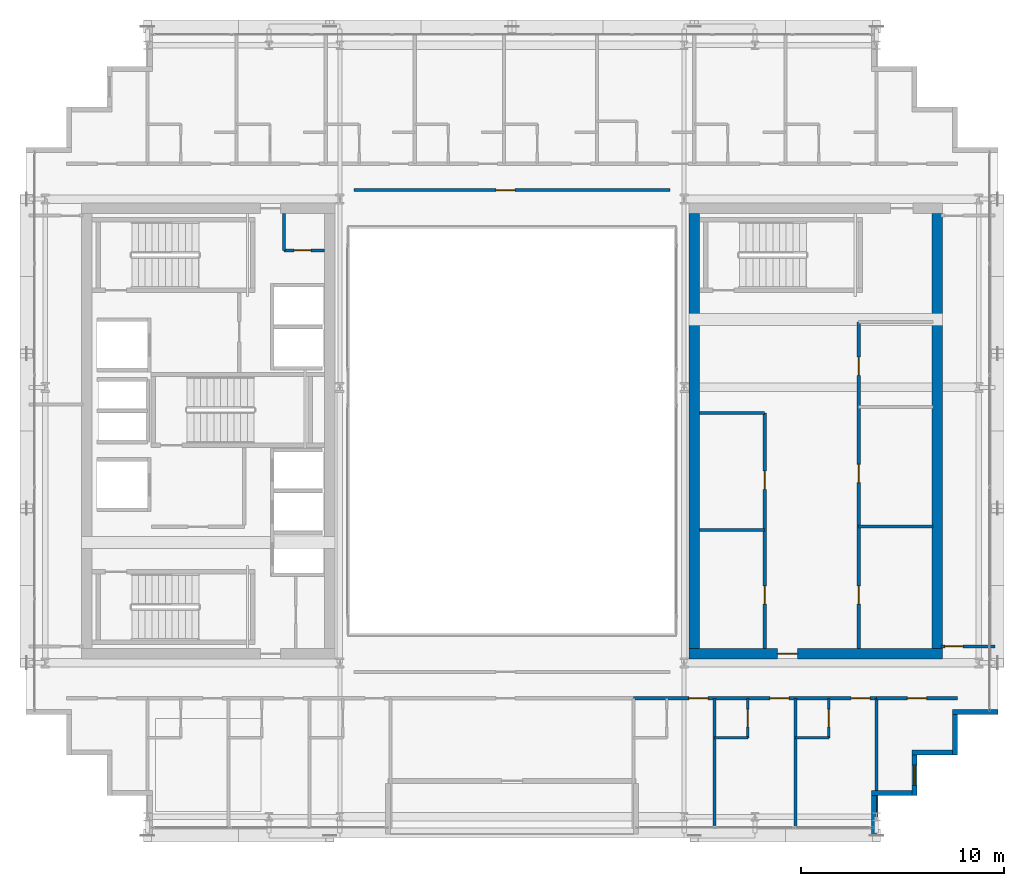
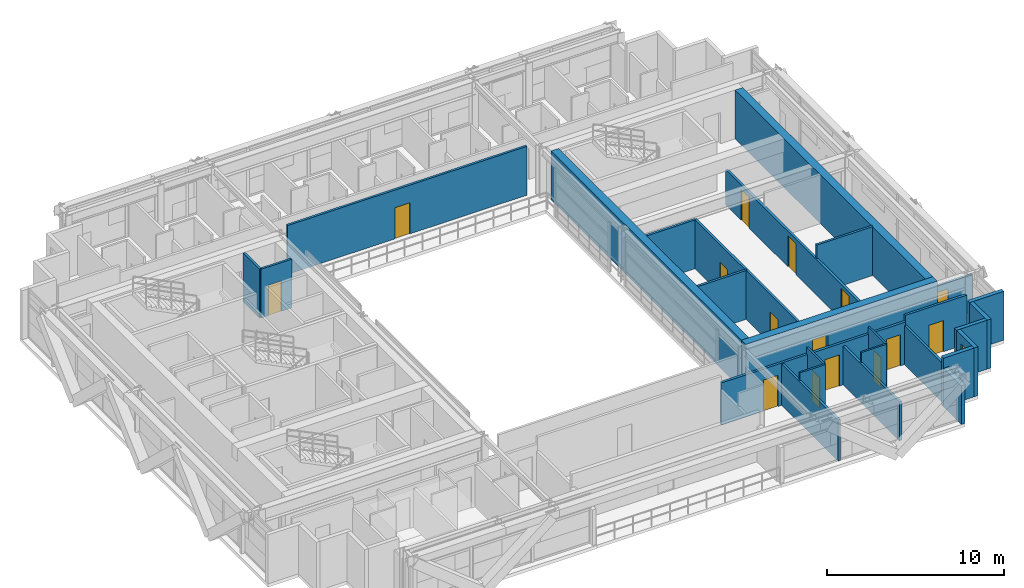
# One storey, part 31 of 38: 27 walls, 15 doors, 1 window, 16 openings.
"""IFC4 building model written with IfcOpenShell, lengths in metres."""

from ifc_helpers import new_model, si_unit, direction, frame, frame_2d, origin, place, context, subcontext, project, spatial, rectangle, extrude, source, transform, mapped, material, layer, layer_set, type_object, element, fill, save


model = new_model("IFC4")

# Units and contexts
model_context = context("Model", 3, precision=1e-05, world=origin(), true_north=direction((0.0, 1.0)))
body_context = subcontext(model_context, "Body", "Model", "MODEL_VIEW")
ifc_project = project(units=[si_unit("LENGTHUNIT", "METRE"), si_unit("AREAUNIT", "SQUARE_METRE"), si_unit("VOLUMEUNIT", "CUBIC_METRE"), si_unit("PLANEANGLEUNIT", "RADIAN"), si_unit("MASSUNIT", "GRAM", prefix="KILO")], contexts=[model_context])

# Site, building, storey
site_placement = place(None, origin())
site = spatial("IfcSite", under=ifc_project, at=site_placement, CompositionType="ELEMENT")
building_placement = place(site_placement, origin())
building = spatial("IfcBuilding", under=site, at=building_placement, Name="Ocotamira Hotel", CompositionType="ELEMENT")
storey_placement = place(building_placement, frame((0.0, 0.0, 170.39990234375)))
storey = spatial("IfcBuildingStorey", under=building, at=storey_placement, Name="L42", CompositionType="ELEMENT", Elevation=170.39990234375)

# Wall, opening, door
ifc_material_1 = material(Name="Concrete C50/60", Category="concrete")
ifc_layer_1 = layer(ifc_material_1, 0.5)
ifc_layer_set_1 = layer_set([ifc_layer_1], Name="Concrete C50/60")
wall_type_1 = type_object("IfcWallType", Name="WL-CORE-500", PredefinedType="SHEAR", material=ifc_layer_set_1)
wall_1_placement = place(storey_placement, frame((40.75, 15.0, 0.0), z_axis=(0.0, 0.0, 1.0), x_axis=(1.0, 0.0, 0.0)))
wall_1 = element("IfcWall", 1, at=wall_1_placement, inside=storey, type_object=wall_type_1, Name="L42 Shear Core Wall ECORE-S", PredefinedType="SHEAR", context=body_context, shape_type="SweptSolid", body=[
    extrude(rectangle(XDim=12.5, YDim=0.5, at=frame_2d((6.25, 0.0))), origin(), (0.0, 0.0, 1.0), 3.3701171875),
])
opening_1_placement = place(wall_1_placement, frame((4.35009765625, 0.0, 0.0)))
opening_1 = element("IfcOpeningElement", 2, at=opening_1_placement, cuts=wall_1, Name="Opening D-FR2", PredefinedType="OPENING", context=body_context, shape_type="SweptSolid", body=[
    extrude(rectangle(XDim=1.0, YDim=2.14990234375, at=frame_2d((0.5, 1.074951171875))), frame((0.0, 0.260009765625, 0.0), z_axis=(0.0, -1.0, 0.0), x_axis=(1.0, 0.0, 0.0)), (0.0, 0.0, 1.0), 0.52001953125),
])
ifc_material_2 = material(Name="Fire-rated acoustic timber-veneer door", Category="wood")
door_type_1 = type_object("IfcDoorType", Name="DR-FIRE-1000", OperationType="NOTDEFINED", PredefinedType="DOOR", material=ifc_material_2)
shared_shape_1 = source(origin(), body_context, "Body", "SweptSolid", [
    extrude(rectangle(XDim=1.0, YDim=2.14990234375, at=frame_2d((0.5, 1.074951171875))), frame((0.0, 0.02490234375, 0.0), z_axis=(0.0, -1.0, 0.0), x_axis=(1.0, 0.0, 0.0)), (0.0, 0.0, 1.0), 0.050048828125),
])
door_1_placement = place(opening_1_placement, origin())
door_1 = element("IfcDoor", 3, at=door_1_placement, inside=storey, type_object=door_type_1, Name="L42 Door ID-L42-ELOB-S-D [ID-L42-ELOB-S-D]", OperationType="SINGLE_SWING_RIGHT", OverallHeight=2.14990234375, OverallWidth=1.0, PredefinedType="DOOR", context=body_context, shape_type="MappedRepresentation", body=[
    mapped(shared_shape_1, transform((0.0, 0.0, 0.0), scale=1.0)),
])
fill(opening_1, door_1)

# Walls
for number, where, z_axis, x_axis, name in (
    (4, (41.0, 15.25, 0.0), (0.0, 0.0, 1.0), (0.0, 1.0, 0.0), "L42 Shear Core Wall ECORE-W"),
    (5, (53.0, 15.25, 0.0), (0.0, 0.0, 1.0), (0.0, 1.0, 0.0), "L42 Shear Core Wall ECORE-E"),
):
    element("IfcWall", number, at=place(storey_placement, frame(where, z_axis=z_axis, x_axis=x_axis)), inside=storey, type_object=wall_type_1, Name=name, PredefinedType="SHEAR", context=body_context, shape_type="SweptSolid", body=[
        extrude(rectangle(XDim=21.5, YDim=0.5, at=frame_2d((10.75, 0.0))), origin(), (0.0, 0.0, 1.0), 3.3701171875),
    ])
ifc_material_3 = material(Name="Precast concrete C45/55", Category="concrete")
ifc_layer_2 = layer(ifc_material_3, 0.25)
ifc_layer_set_2 = layer_set([ifc_layer_2], Name="Precast concrete C45/55")
wall_type_2 = type_object("IfcWallType", Name="WL-EXT-SER-250", PredefinedType="SOLIDWALL", material=ifc_layer_set_2)
wall_2_placement = place(storey_placement, frame((49.875, 6.0, 0.0), z_axis=(0.0, 0.0, 1.0), x_axis=(0.0, 1.0, 0.0)))
element("IfcWall", 6, at=wall_2_placement, inside=storey, type_object=wall_type_2, Name="L42 Serrated Corner Wall 01", PredefinedType="SOLIDWALL", context=body_context, shape_type="SweptSolid", body=[
    extrude(rectangle(XDim=2.0, YDim=0.25, at=frame_2d((1.0, 0.0))), origin(), (0.0, 0.0, 1.0), 2.677001953125),
])
wall_3_placement = place(storey_placement, frame((49.75, 8.125, 0.0), z_axis=(0.0, 0.0, 1.0), x_axis=(1.0, 0.0, 0.0)))
element("IfcWall", 7, at=wall_3_placement, inside=storey, type_object=wall_type_2, Name="L42 Serrated Corner Wall 02", PredefinedType="SOLIDWALL", context=body_context, shape_type="SweptSolid", body=[
    extrude(rectangle(XDim=2.0, YDim=0.25, at=frame_2d((1.0, 0.0))), origin(), (0.0, 0.0, 1.0), 3.3701171875),
])

# Wall, opening, window
wall_4_placement = place(storey_placement, frame((51.875, 8.0, 0.0), z_axis=(0.0, 0.0, 1.0), x_axis=(0.0, 1.0, 0.0)))
wall_4 = element("IfcWall", 8, at=wall_4_placement, inside=storey, type_object=wall_type_2, Name="L42 Serrated Corner Wall 03", PredefinedType="SOLIDWALL", context=body_context, shape_type="SweptSolid", body=[
    extrude(rectangle(XDim=2.0, YDim=0.25, at=frame_2d((1.0, 0.0))), origin(), (0.0, 0.0, 1.0), 3.3701171875),
])
opening_2_placement = place(wall_4_placement, frame((0.5, 0.0, 0.85009765625)))
opening_2 = element("IfcOpeningElement", 9, at=opening_2_placement, cuts=wall_4, Name="Opening WN-2", PredefinedType="OPENING", context=body_context, shape_type="SweptSolid", body=[
    extrude(rectangle(XDim=1.0, YDim=1.89990234375, at=frame_2d((0.5, 0.949951171875))), frame((0.0, 0.135009765625, 0.0), z_axis=(0.0, -1.0, 0.0), x_axis=(1.0, 0.0, 0.0)), (0.0, 0.0, 1.0), 0.27001953125),
])
ifc_material_4 = material(Name="Double-silver low-E solar glass", Category="glass")
window_type = type_object("IfcWindowType", Name="WIN-SER-1100", PartitioningType="SINGLE_PANEL", PredefinedType="WINDOW", material=ifc_material_4)
shared_shape_2 = source(origin(), body_context, "Body", "SweptSolid", [
    extrude(rectangle(XDim=1.0, YDim=1.89990234375, at=frame_2d((0.5, 0.949951171875))), frame((0.0, 0.030029296875, 0.0), z_axis=(0.0, -1.0, 0.0), x_axis=(1.0, 0.0, 0.0)), (0.0, 0.0, 1.0), 0.06005859375),
])
window_placement = place(opening_2_placement, origin())
window = element("IfcWindow", 10, at=window_placement, inside=storey, type_object=window_type, Name="L42 Serrated Corner Window 03", OverallHeight=1.89990234375, OverallWidth=1.0, PartitioningType="SINGLE_PANEL", PredefinedType="WINDOW", context=body_context, shape_type="MappedRepresentation", body=[
    mapped(shared_shape_2, transform((0.0, 0.0, 0.0), scale=1.0)),
])
fill(opening_2, window)

# Walls
for number, where, z_axis, x_axis, name in (
    (11, (51.75, 10.125, 0.0), (0.0, 0.0, 1.0), (1.0, 0.0, 0.0), "L42 Serrated Corner Wall 04"),
    (12, (53.875, 10.0, 0.0), (0.0, 0.0, 1.0), (0.0, 1.0, 0.0), "L42 Serrated Corner Wall 05"),
):
    element("IfcWall", number, at=place(storey_placement, frame(where, z_axis=z_axis, x_axis=x_axis)), inside=storey, type_object=wall_type_2, Name=name, PredefinedType="SOLIDWALL", context=body_context, shape_type="SweptSolid", body=[
        extrude(rectangle(XDim=2.0, YDim=0.25, at=frame_2d((1.0, 0.0))), origin(), (0.0, 0.0, 1.0), 3.3701171875),
    ])
wall_5_placement = place(storey_placement, frame((53.75, 12.125, 0.0), z_axis=(0.0, 0.0, 1.0), x_axis=(1.0, 0.0, 0.0)))
element("IfcWall", 13, at=wall_5_placement, inside=storey, type_object=wall_type_2, Name="L42 Serrated Corner Wall 06", PredefinedType="SOLIDWALL", context=body_context, shape_type="SweptSolid", body=[
    extrude(rectangle(XDim=2.25, YDim=0.25, at=frame_2d((1.125, 0.0))), origin(), (0.0, 0.0, 1.0), 3.3701171875),
])

# Wall, openings, doors
ifc_material_5 = material(Name="Acoustic double-layer fire gypsum board partition", Category="gypsum")
ifc_layer_3 = layer(ifc_material_5, 0.159912109375)
ifc_layer_set_3 = layer_set([ifc_layer_3], Name="Acoustic double-layer fire gypsum board partition")
wall_type_3 = type_object("IfcWallType", Name="WL-FIRE-160", PredefinedType="PARTITIONING", material=ifc_layer_set_3)
wall_6_placement = place(storey_placement, frame((49.1201171875, 15.25, 0.0), z_axis=(0.0, 0.0, 1.0), x_axis=(0.0, 1.0, 0.0)))
wall_6 = element("IfcWall", 14, at=wall_6_placement, inside=storey, type_object=wall_type_3, Name="L42 Interior Wall PW-L42-EC-FLOW-W", PredefinedType="PARTITIONING", context=body_context, shape_type="SweptSolid", body=[
    extrude(rectangle(XDim=16.1298828125, YDim=0.159912109375, at=frame_2d((8.06494140625, 0.0))), origin(), (0.0, 0.0, 1.0), 2.443115234375),
])
opening_3_placement = place(wall_6_placement, frame((2.199951171875, 0.0, 0.0)))
opening_3 = element("IfcOpeningElement", 15, at=opening_3_placement, cuts=wall_6, Name="Opening D-IN3", PredefinedType="OPENING", context=body_context, shape_type="SweptSolid", body=[
    extrude(rectangle(XDim=0.89990234375, YDim=2.14990234375, at=frame_2d((0.449951171875, 1.074951171875))), frame((0.0, 0.08984375, 0.0), z_axis=(0.0, -1.0, 0.0), x_axis=(1.0, 0.0, 0.0)), (0.0, 0.0, 1.0), 0.179931640625),
])
opening_4_placement = place(wall_6_placement, frame((8.199951171875, 0.0, 0.0)))
opening_4 = element("IfcOpeningElement", 16, at=opening_4_placement, cuts=wall_6, Name="Opening D-IN3", PredefinedType="OPENING", context=body_context, shape_type="SweptSolid", body=[
    extrude(rectangle(XDim=0.89990234375, YDim=2.14990234375, at=frame_2d((0.449951171875, 1.074951171875))), frame((0.0, 0.08984375, 0.0), z_axis=(0.0, -1.0, 0.0), x_axis=(1.0, 0.0, 0.0)), (0.0, 0.0, 1.0), 0.179931640625),
])
opening_5_placement = place(wall_6_placement, frame((13.5, 0.0, 0.0)))
opening_5 = element("IfcOpeningElement", 17, at=opening_5_placement, cuts=wall_6, Name="Opening D-IN3", PredefinedType="OPENING", context=body_context, shape_type="SweptSolid", body=[
    extrude(rectangle(XDim=0.89990234375, YDim=2.14990234375, at=frame_2d((0.449951171875, 1.074951171875))), frame((0.0, 0.08984375, 0.0), z_axis=(0.0, -1.0, 0.0), x_axis=(1.0, 0.0, 0.0)), (0.0, 0.0, 1.0), 0.179931640625),
])
ifc_material_6 = material(Name="Painted service room door", Category="steel")
door_type_2 = type_object("IfcDoorType", Name="DR-INT-900", OperationType="NOTDEFINED", PredefinedType="DOOR", material=ifc_material_6)
shared_shape_3 = source(origin(), body_context, "Body", "SweptSolid", [
    extrude(rectangle(XDim=0.89990234375, YDim=2.14990234375, at=frame_2d((0.449951171875, 1.074951171875))), frame((0.0, 0.02490234375, 0.0), z_axis=(0.0, -1.0, 0.0), x_axis=(1.0, 0.0, 0.0)), (0.0, 0.0, 1.0), 0.050048828125),
])
door_2_placement = place(opening_3_placement, origin())
door_2 = element("IfcDoor", 18, at=door_2_placement, inside=storey, type_object=door_type_2, Name="L42 Door ID-L42-EC-FLOW-D1 [ID-L42-EC-FLOW-D1]", OperationType="SINGLE_SWING_LEFT", OverallHeight=2.14990234375, OverallWidth=0.89990234375, PredefinedType="DOOR", context=body_context, shape_type="MappedRepresentation", body=[
    mapped(shared_shape_3, transform((0.0, 0.0, 0.0), scale=1.0)),
])
fill(opening_3, door_2)
door_3_placement = place(opening_4_placement, origin())
door_3 = element("IfcDoor", 19, at=door_3_placement, inside=storey, type_object=door_type_2, Name="L42 Door ID-L42-EC-FLOW-D2 [ID-L42-EC-FLOW-D2]", OperationType="SINGLE_SWING_RIGHT", OverallHeight=2.14990234375, OverallWidth=0.89990234375, PredefinedType="DOOR", context=body_context, shape_type="MappedRepresentation", body=[
    mapped(shared_shape_3, transform((0.0, 0.0, 0.0), scale=1.0)),
])
fill(opening_4, door_3)
door_4_placement = place(opening_5_placement, origin())
door_4 = element("IfcDoor", 20, at=door_4_placement, inside=storey, type_object=door_type_2, Name="L42 Door ID-L42-EC-FLOW-D3 [ID-L42-EC-FLOW-D3]", OperationType="SINGLE_SWING_LEFT", OverallHeight=2.14990234375, OverallWidth=0.89990234375, PredefinedType="DOOR", context=body_context, shape_type="MappedRepresentation", body=[
    mapped(shared_shape_3, transform((0.0, 0.0, 0.0), scale=1.0)),
])
fill(opening_5, door_4)

# Wall, opening, door
wall_7_placement = place(storey_placement, frame((50.0, 12.800048828125, 0.0), z_axis=(0.0, 0.0, 1.0), x_axis=(1.0, 0.0, 0.0)))
wall_7 = element("IfcWall", 21, at=wall_7_placement, inside=storey, type_object=wall_type_3, Name="L42 Interior Wall PW-L42-Z3A-CSE-CW", PredefinedType="PARTITIONING", context=body_context, shape_type="SweptSolid", body=[
    extrude(rectangle(XDim=4.0, YDim=0.159912109375, at=frame_2d((2.0, 0.0))), origin(), (0.0, 0.0, 1.0), 3.3701171875),
])
opening_6_placement = place(wall_7_placement, frame((1.52001953125, 0.0, 0.0)))
opening_6 = element("IfcOpeningElement", 22, at=opening_6_placement, cuts=wall_7, Name="Opening D-SV4", PredefinedType="OPENING", context=body_context, shape_type="SweptSolid", body=[
    extrude(rectangle(XDim=0.9599609375, YDim=2.14990234375, at=frame_2d((0.47998046875, 1.074951171875))), frame((0.0, 0.08984375, 0.0), z_axis=(0.0, -1.0, 0.0), x_axis=(1.0, 0.0, 0.0)), (0.0, 0.0, 1.0), 0.179931640625),
])
ifc_material_7 = material(Name="Fire-rated accessible walnut salon door", Category="wood")
door_type_3 = type_object("IfcDoorType", Name="DR-SERV-960", OperationType="NOTDEFINED", PredefinedType="DOOR", material=ifc_material_7)
shared_shape_4 = source(origin(), body_context, "Body", "SweptSolid", [
    extrude(rectangle(XDim=0.9599609375, YDim=2.14990234375, at=frame_2d((0.47998046875, 1.074951171875))), frame((0.0, 0.02490234375, 0.0), z_axis=(0.0, -1.0, 0.0), x_axis=(1.0, 0.0, 0.0)), (0.0, 0.0, 1.0), 0.050048828125),
])
door_5_placement = place(opening_6_placement, origin())
door_5 = element("IfcDoor", 23, at=door_5_placement, inside=storey, type_object=door_type_3, Name="L42 Door ID-L42-Z3A-CSE-CD [ID-L42-Z3A-CSE-CD]", OperationType="SINGLE_SWING_LEFT", OverallHeight=2.14990234375, OverallWidth=0.9599609375, PredefinedType="DOOR", context=body_context, shape_type="MappedRepresentation", body=[
    mapped(shared_shape_4, transform((0.0, 0.0, 0.0), scale=1.0)),
])
fill(opening_6, door_5)

# Wall, openings, doors
wall_8_placement = place(storey_placement, frame((38.0, 12.800048828125, 0.0), z_axis=(0.0, 0.0, 1.0), x_axis=(1.0, 0.0, 0.0)))
wall_8 = element("IfcWall", 24, at=wall_8_placement, inside=storey, type_object=wall_type_3, Name="L42 Interior Wall PW-L42-Z3ASE-CORRW", PredefinedType="PARTITIONING", context=body_context, shape_type="SweptSolid", body=[
    extrude(rectangle(XDim=12.0, YDim=0.159912109375, at=frame_2d((6.0, 0.0))), origin(), (0.0, 0.0, 1.0), 2.9130859375),
])
opening_7_placement = place(wall_8_placement, frame((2.739990234375, 0.0, 0.0)))
opening_7 = element("IfcOpeningElement", 25, at=opening_7_placement, cuts=wall_8, Name="Opening D-GR1", PredefinedType="OPENING", context=body_context, shape_type="SweptSolid", body=[
    extrude(rectangle(XDim=0.93994140625, YDim=2.14990234375, at=frame_2d((0.469970703125, 1.074951171875))), frame((0.0, 0.08984375, 0.0), z_axis=(0.0, -1.0, 0.0), x_axis=(1.0, 0.0, 0.0)), (0.0, 0.0, 1.0), 0.179931640625),
])
opening_8_placement = place(wall_8_placement, frame((6.739990234375, 0.0, 0.0)))
opening_8 = element("IfcOpeningElement", 26, at=opening_8_placement, cuts=wall_8, Name="Opening D-GR1", PredefinedType="OPENING", context=body_context, shape_type="SweptSolid", body=[
    extrude(rectangle(XDim=0.93994140625, YDim=2.14990234375, at=frame_2d((0.469970703125, 1.074951171875))), frame((0.0, 0.08984375, 0.0), z_axis=(0.0, -1.0, 0.0), x_axis=(1.0, 0.0, 0.0)), (0.0, 0.0, 1.0), 0.179931640625),
])
opening_9_placement = place(wall_8_placement, frame((10.739990234375, 0.0, 0.0)))
opening_9 = element("IfcOpeningElement", 27, at=opening_9_placement, cuts=wall_8, Name="Opening D-GR1", PredefinedType="OPENING", context=body_context, shape_type="SweptSolid", body=[
    extrude(rectangle(XDim=0.93994140625, YDim=2.14990234375, at=frame_2d((0.469970703125, 1.074951171875))), frame((0.0, 0.08984375, 0.0), z_axis=(0.0, -1.0, 0.0), x_axis=(1.0, 0.0, 0.0)), (0.0, 0.0, 1.0), 0.179931640625),
])
ifc_material_8 = material(Name="Solid-core walnut suite entrance fire door", Category="wood")
door_type_4 = type_object("IfcDoorType", Name="DR-GUEST-940", OperationType="NOTDEFINED", PredefinedType="DOOR", material=ifc_material_8)
shared_shape_5 = source(origin(), body_context, "Body", "SweptSolid", [
    extrude(rectangle(XDim=0.93994140625, YDim=2.14990234375, at=frame_2d((0.469970703125, 1.074951171875))), frame((0.0, 0.02490234375, 0.0), z_axis=(0.0, -1.0, 0.0), x_axis=(1.0, 0.0, 0.0)), (0.0, 0.0, 1.0), 0.050048828125),
])
door_6_placement = place(opening_7_placement, origin())
door_6 = element("IfcDoor", 28, at=door_6_placement, inside=storey, type_object=door_type_4, Name="L42 Door ID-L42-Z3ASE-RMD1 [ID-L42-Z3ASE-RMD1]", OperationType="SINGLE_SWING_LEFT", OverallHeight=2.14990234375, OverallWidth=0.93994140625, PredefinedType="DOOR", context=body_context, shape_type="MappedRepresentation", body=[
    mapped(shared_shape_5, transform((0.0, 0.0, 0.0), scale=1.0)),
])
fill(opening_7, door_6)
door_7_placement = place(opening_8_placement, origin())
door_7 = element("IfcDoor", 29, at=door_7_placement, inside=storey, type_object=door_type_4, Name="L42 Door ID-L42-Z3ASE-RMD2 [ID-L42-Z3ASE-RMD2]", OperationType="SINGLE_SWING_RIGHT", OverallHeight=2.14990234375, OverallWidth=0.93994140625, PredefinedType="DOOR", context=body_context, shape_type="MappedRepresentation", body=[
    mapped(shared_shape_5, transform((0.0, 0.0, 0.0), scale=1.0)),
])
fill(opening_8, door_7)
door_8_placement = place(opening_9_placement, origin())
door_8 = element("IfcDoor", 30, at=door_8_placement, inside=storey, type_object=door_type_4, Name="L42 Door ID-L42-Z3ASE-RMD3 [ID-L42-Z3ASE-RMD3]", OperationType="SINGLE_SWING_LEFT", OverallHeight=2.14990234375, OverallWidth=0.93994140625, PredefinedType="DOOR", context=body_context, shape_type="MappedRepresentation", body=[
    mapped(shared_shape_5, transform((0.0, 0.0, 0.0), scale=1.0)),
])
fill(opening_9, door_8)

# Wall, opening, door
ifc_material_9 = material(Name="Moisture-resistant en-suite tile and gypsum partition", Category="gypsum")
ifc_layer_4 = layer(ifc_material_9, 0.1201171875)
ifc_layer_set_4 = layer_set([ifc_layer_4], Name="Moisture-resistant en-suite tile and gypsum partition")
wall_type_4 = type_object("IfcWallType", Name="WL-PART-120", PredefinedType="PARTITIONING", material=ifc_layer_set_4)
wall_9_placement = place(storey_placement, frame((43.64990234375, 10.85009765625, 0.0), z_axis=(0.0, 0.0, 1.0), x_axis=(0.0, 1.0, 0.0)))
wall_9 = element("IfcWall", 31, at=wall_9_placement, inside=storey, type_object=wall_type_4, Name="L42 Interior Wall PW-L42-Z3ASE-BAE2", PredefinedType="PARTITIONING", context=body_context, shape_type="SweptSolid", body=[
    extrude(rectangle(XDim=1.949951171875, YDim=0.1201171875, at=frame_2d((0.97509765625, 0.0))), origin(), (0.0, 0.0, 1.0), 3.3701171875),
])
opening_10_placement = place(wall_9_placement, frame((0.544921875, 0.0, 0.0)))
opening_10 = element("IfcOpeningElement", 32, at=opening_10_placement, cuts=wall_9, Name="Opening D-BA1", PredefinedType="OPENING", context=body_context, shape_type="SweptSolid", body=[
    extrude(rectangle(XDim=0.860107421875, YDim=2.10009765625, at=frame_2d((0.43017578125, 1.050048828125))), frame((0.0, 0.070068359375, 0.0), z_axis=(0.0, -1.0, 0.0), x_axis=(1.0, 0.0, 0.0)), (0.0, 0.0, 1.0), 0.14013671875),
])
ifc_material_10 = material(Name="Moisture-sealed en-suite timber door", Category="wood")
door_type_5 = type_object("IfcDoorType", Name="DR-BATH-860", OperationType="NOTDEFINED", PredefinedType="DOOR", material=ifc_material_10)
shared_shape_6 = source(origin(), body_context, "Body", "SweptSolid", [
    extrude(rectangle(XDim=0.860107421875, YDim=2.10009765625, at=frame_2d((0.43017578125, 1.050048828125))), frame((0.0, 0.02490234375, 0.0), z_axis=(0.0, -1.0, 0.0), x_axis=(1.0, 0.0, 0.0)), (0.0, 0.0, 1.0), 0.050048828125),
])
door_9_placement = place(opening_10_placement, origin())
door_9 = element("IfcDoor", 33, at=door_9_placement, inside=storey, type_object=door_type_5, Name="L42 Door ID-L42-Z3ASE-BAD2 [ID-L42-Z3ASE-BAD2]", OperationType="SINGLE_SWING_LEFT", OverallHeight=2.10009765625, OverallWidth=0.860107421875, PredefinedType="DOOR", context=body_context, shape_type="MappedRepresentation", body=[
    mapped(shared_shape_6, transform((0.0, 0.0, 0.0), scale=1.0)),
])
fill(opening_10, door_9)

# Wall
wall_10_placement = place(storey_placement, frame((42.0, 10.85009765625, 0.0), z_axis=(0.0, 0.0, 1.0), x_axis=(1.0, 0.0, 0.0)))
element("IfcWall", 34, at=wall_10_placement, inside=storey, type_object=wall_type_4, Name="L42 Interior Wall PW-L42-Z3ASE-BAS2", PredefinedType="PARTITIONING", context=body_context, shape_type="SweptSolid", body=[
    extrude(rectangle(XDim=1.64990234375, YDim=0.1201171875, at=frame_2d((0.824951171875, 0.0))), origin(), (0.0, 0.0, 1.0), 3.3701171875),
])

# Wall, opening, door
wall_11_placement = place(storey_placement, frame((47.64990234375, 10.85009765625, 0.0), z_axis=(0.0, 0.0, 1.0), x_axis=(0.0, 1.0, 0.0)))
wall_11 = element("IfcWall", 35, at=wall_11_placement, inside=storey, type_object=wall_type_4, Name="L42 Interior Wall PW-L42-Z3ASE-BAE3", PredefinedType="PARTITIONING", context=body_context, shape_type="SweptSolid", body=[
    extrude(rectangle(XDim=1.949951171875, YDim=0.1201171875, at=frame_2d((0.97509765625, 0.0))), origin(), (0.0, 0.0, 1.0), 3.3701171875),
])
opening_11_placement = place(wall_11_placement, frame((0.544921875, 0.0, 0.0)))
opening_11 = element("IfcOpeningElement", 36, at=opening_11_placement, cuts=wall_11, Name="Opening D-BA1", PredefinedType="OPENING", context=body_context, shape_type="SweptSolid", body=[
    extrude(rectangle(XDim=0.860107421875, YDim=2.10009765625, at=frame_2d((0.43017578125, 1.050048828125))), frame((0.0, 0.070068359375, 0.0), z_axis=(0.0, -1.0, 0.0), x_axis=(1.0, 0.0, 0.0)), (0.0, 0.0, 1.0), 0.14013671875),
])
door_10_placement = place(opening_11_placement, origin())
door_10 = element("IfcDoor", 37, at=door_10_placement, inside=storey, type_object=door_type_5, Name="L42 Door ID-L42-Z3ASE-BAD3 [ID-L42-Z3ASE-BAD3]", OperationType="SINGLE_SWING_RIGHT", OverallHeight=2.10009765625, OverallWidth=0.860107421875, PredefinedType="DOOR", context=body_context, shape_type="MappedRepresentation", body=[
    mapped(shared_shape_6, transform((0.0, 0.0, 0.0), scale=1.0)),
])
fill(opening_11, door_10)

# Walls
wall_12_placement = place(storey_placement, frame((46.0, 10.85009765625, 0.0), z_axis=(0.0, 0.0, 1.0), x_axis=(1.0, 0.0, 0.0)))
element("IfcWall", 38, at=wall_12_placement, inside=storey, type_object=wall_type_4, Name="L42 Interior Wall PW-L42-Z3ASE-BAS3", PredefinedType="PARTITIONING", context=body_context, shape_type="SweptSolid", body=[
    extrude(rectangle(XDim=1.64990234375, YDim=0.1201171875, at=frame_2d((0.824951171875, 0.0))), origin(), (0.0, 0.0, 1.0), 3.3701171875),
])
ifc_material_11 = material(Name="Acoustic hospitality gypsum board partition", Category="gypsum")
ifc_layer_5 = layer(ifc_material_11, 0.14208984375)
ifc_layer_set_5 = layer_set([ifc_layer_5], Name="Acoustic hospitality gypsum board partition")
wall_type_5 = type_object("IfcWallType", Name="WL-PART-142", PredefinedType="PARTITIONING", material=ifc_layer_set_5)
wall_13_placement = place(storey_placement, frame((20.739990234375, 34.919921875, 0.0), z_axis=(0.0, 0.0, 1.0), x_axis=(0.0, 1.0, 0.0)))
element("IfcWall", 39, at=wall_13_placement, inside=storey, type_object=wall_type_5, Name="L42 Interior Wall PW-L42-WC-NE-W1", PredefinedType="PARTITIONING", context=body_context, shape_type="SweptSolid", body=[
    extrude(rectangle(XDim=1.830078125, YDim=0.14208984375, at=frame_2d((0.9150390625, 0.0))), origin(), (0.0, 0.0, 1.0), 3.3701171875),
])

# Wall, opening, door
wall_14_placement = place(storey_placement, frame((20.739990234375, 34.919921875, 0.0), z_axis=(0.0, 0.0, 1.0), x_axis=(1.0, 0.0, 0.0)))
wall_14 = element("IfcWall", 40, at=wall_14_placement, inside=storey, type_object=wall_type_5, Name="L42 Interior Wall PW-L42-WC-NE-S1", PredefinedType="PARTITIONING", context=body_context, shape_type="SweptSolid", body=[
    extrude(rectangle(XDim=2.010009765625, YDim=0.14208984375, at=frame_2d((1.0048828125, 0.0))), origin(), (0.0, 0.0, 1.0), 3.3701171875),
])
opening_12_placement = place(wall_14_placement, frame((0.5, 0.0, 0.0)))
opening_12 = element("IfcOpeningElement", 41, at=opening_12_placement, cuts=wall_14, Name="Opening D-SV1", PredefinedType="OPENING", context=body_context, shape_type="SweptSolid", body=[
    extrude(rectangle(XDim=0.840087890625, YDim=2.10009765625, at=frame_2d((0.419921875, 1.050048828125))), frame((0.0, 0.0810546875, 0.0), z_axis=(0.0, -1.0, 0.0), x_axis=(1.0, 0.0, 0.0)), (0.0, 0.0, 1.0), 0.162109375),
])
ifc_material_12 = material(Name="Fire-rated painted steel service door", Category="steel")
door_type_6 = type_object("IfcDoorType", Name="DR-SERV-840", OperationType="NOTDEFINED", PredefinedType="DOOR", material=ifc_material_12)
shared_shape_7 = source(origin(), body_context, "Body", "SweptSolid", [
    extrude(rectangle(XDim=0.840087890625, YDim=2.10009765625, at=frame_2d((0.419921875, 1.050048828125))), frame((0.0, 0.02490234375, 0.0), z_axis=(0.0, -1.0, 0.0), x_axis=(1.0, 0.0, 0.0)), (0.0, 0.0, 1.0), 0.050048828125),
])
door_11_placement = place(opening_12_placement, origin())
door_11 = element("IfcDoor", 42, at=door_11_placement, inside=storey, type_object=door_type_6, Name="L42 Door ID-L42-WC-NE-D1 [ID-L42-WC-NE-D1]", OperationType="SINGLE_SWING_LEFT", OverallHeight=2.10009765625, OverallWidth=0.840087890625, PredefinedType="DOOR", context=body_context, shape_type="MappedRepresentation", body=[
    mapped(shared_shape_7, transform((0.0, 0.0, 0.0), scale=1.0)),
])
fill(opening_12, door_11)

# Walls
ifc_layer_6 = layer(ifc_material_11, 0.14990234375)
ifc_layer_set_6 = layer_set([ifc_layer_6], Name="Acoustic hospitality gypsum board partition")
wall_type_6 = type_object("IfcWallType", Name="WL-PART-150", PredefinedType="PARTITIONING", material=ifc_layer_set_6)
wall_15_placement = place(storey_placement, frame((49.1201171875, 21.2900390625, 0.0), z_axis=(0.0, 0.0, 1.0), x_axis=(1.0, 0.0, 0.0)))
element("IfcWall", 43, at=wall_15_placement, inside=storey, type_object=wall_type_6, Name="L42 Interior Wall PW-L42-EC-FDIV1", PredefinedType="PARTITIONING", context=body_context, shape_type="SweptSolid", body=[
    extrude(rectangle(XDim=3.679931640625, YDim=0.14990234375, at=frame_2d((1.83984375, 0.0))), origin(), (0.0, 0.0, 1.0), 3.3701171875),
])
for number, where, z_axis, x_axis, name in (
    (44, (41.25, 26.8798828125, 0.0), (0.0, 0.0, 1.0), (1.0, 0.0, 0.0), "L42 Interior Wall PW-L42-EC-FMID-N"),
    (45, (41.25, 21.1201171875, 0.0), (0.0, 0.0, 1.0), (1.0, 0.0, 0.0), "L42 Interior Wall PW-L42-EC-FMID-DIV"),
):
    element("IfcWall", number, at=place(storey_placement, frame(where, z_axis=z_axis, x_axis=x_axis)), inside=storey, type_object=wall_type_6, Name=name, PredefinedType="PARTITIONING", context=body_context, shape_type="SweptSolid", body=[
        extrude(rectangle(XDim=3.22998046875, YDim=0.14990234375, at=frame_2d((1.614990234375, 0.0))), origin(), (0.0, 0.0, 1.0), 3.3701171875),
    ])

# Wall, openings, doors
wall_16_placement = place(storey_placement, frame((44.47998046875, 15.25, 0.0), z_axis=(0.0, 0.0, 1.0), x_axis=(0.0, 1.0, 0.0)))
wall_16 = element("IfcWall", 46, at=wall_16_placement, inside=storey, type_object=wall_type_6, Name="L42 Interior Wall PW-L42-EC-FMID-E", PredefinedType="PARTITIONING", context=body_context, shape_type="SweptSolid", body=[
    extrude(rectangle(XDim=11.6298828125, YDim=0.14990234375, at=frame_2d((5.81494140625, 0.0))), origin(), (0.0, 0.0, 1.0), 3.3701171875),
])
opening_13_placement = place(wall_16_placement, frame((2.199951171875, 0.0, 0.0)))
opening_13 = element("IfcOpeningElement", 47, at=opening_13_placement, cuts=wall_16, Name="Opening D-IN3", PredefinedType="OPENING", context=body_context, shape_type="SweptSolid", body=[
    extrude(rectangle(XDim=0.89990234375, YDim=2.14990234375, at=frame_2d((0.449951171875, 1.074951171875))), frame((0.0, 0.0849609375, 0.0), z_axis=(0.0, -1.0, 0.0), x_axis=(1.0, 0.0, 0.0)), (0.0, 0.0, 1.0), 0.169921875),
])
opening_14_placement = place(wall_16_placement, frame((7.8701171875, 0.0, 0.0)))
opening_14 = element("IfcOpeningElement", 48, at=opening_14_placement, cuts=wall_16, Name="Opening D-IN3", PredefinedType="OPENING", context=body_context, shape_type="SweptSolid", body=[
    extrude(rectangle(XDim=0.89990234375, YDim=2.14990234375, at=frame_2d((0.449951171875, 1.074951171875))), frame((0.0, 0.0849609375, 0.0), z_axis=(0.0, -1.0, 0.0), x_axis=(1.0, 0.0, 0.0)), (0.0, 0.0, 1.0), 0.169921875),
])
door_12_placement = place(opening_13_placement, origin())
door_12 = element("IfcDoor", 49, at=door_12_placement, inside=storey, type_object=door_type_2, Name="L42 Door ID-L42-EC-FMID-D1 [ID-L42-EC-FMID-D1]", OperationType="SINGLE_SWING_RIGHT", OverallHeight=2.14990234375, OverallWidth=0.89990234375, PredefinedType="DOOR", context=body_context, shape_type="MappedRepresentation", body=[
    mapped(shared_shape_3, transform((0.0, 0.0, 0.0), scale=1.0)),
])
fill(opening_13, door_12)
door_13_placement = place(opening_14_placement, origin())
door_13 = element("IfcDoor", 50, at=door_13_placement, inside=storey, type_object=door_type_2, Name="L42 Door ID-L42-EC-FMID-D2 [ID-L42-EC-FMID-D2]", OperationType="SINGLE_SWING_LEFT", OverallHeight=2.14990234375, OverallWidth=0.89990234375, PredefinedType="DOOR", context=body_context, shape_type="MappedRepresentation", body=[
    mapped(shared_shape_3, transform((0.0, 0.0, 0.0), scale=1.0)),
])
fill(opening_14, door_13)

# Wall, opening, door
wall_17_placement = place(storey_placement, frame((24.199951171875, 37.89990234375, 0.0), z_axis=(0.0, 0.0, 1.0), x_axis=(1.0, 0.0, 0.0)))
wall_17 = element("IfcWall", 51, at=wall_17_placement, inside=storey, type_object=wall_type_6, Name="L42 Interior Wall PW-L42-Z3A-ATRNW", PredefinedType="PARTITIONING", context=body_context, shape_type="SweptSolid", body=[
    extrude(rectangle(XDim=15.60009765625, YDim=0.14990234375, at=frame_2d((7.800048828125, 0.0))), origin(), (0.0, 0.0, 1.0), 3.3701171875),
])
opening_15_placement = place(wall_17_placement, frame((7.0, 0.0, 0.0)))
opening_15 = element("IfcOpeningElement", 52, at=opening_15_placement, cuts=wall_17, Name="Opening D-SV4", PredefinedType="OPENING", context=body_context, shape_type="SweptSolid", body=[
    extrude(rectangle(XDim=0.9599609375, YDim=2.14990234375, at=frame_2d((0.47998046875, 1.074951171875))), frame((0.0, 0.0849609375, 0.0), z_axis=(0.0, -1.0, 0.0), x_axis=(1.0, 0.0, 0.0)), (0.0, 0.0, 1.0), 0.169921875),
])
door_14_placement = place(opening_15_placement, origin())
door_14 = element("IfcDoor", 53, at=door_14_placement, inside=storey, type_object=door_type_3, Name="L42 Door ID-L42-Z3A-AND [ID-L42-Z3A-AND]", OperationType="SINGLE_SWING_RIGHT", OverallHeight=2.14990234375, OverallWidth=0.9599609375, PredefinedType="DOOR", context=body_context, shape_type="MappedRepresentation", body=[
    mapped(shared_shape_4, transform((0.0, 0.0, 0.0), scale=1.0)),
])
fill(opening_15, door_14)

wall_18_placement = place(storey_placement, frame((53.179931640625, 15.360107421875, 0.0), z_axis=(0.0, 0.0, 1.0), x_axis=(1.0, 0.0, 0.0)))
wall_18 = element("IfcWall", 54, at=wall_18_placement, inside=storey, type_object=wall_type_6, Name="L42 Interior Wall PW-L42-Z3A-EF-WS", PredefinedType="PARTITIONING", context=body_context, shape_type="SweptSolid", body=[
    extrude(rectangle(XDim=2.66015625, YDim=0.14990234375, at=frame_2d((1.330078125, 0.0))), origin(), (0.0, 0.0, 1.0), 2.591064453125),
])
opening_16_placement = place(wall_18_placement, frame((0.199951171875, 0.0, 0.0)))
opening_16 = element("IfcOpeningElement", 55, at=opening_16_placement, cuts=wall_18, Name="Opening D-SV2", PredefinedType="OPENING", context=body_context, shape_type="SweptSolid", body=[
    extrude(rectangle(XDim=0.8798828125, YDim=2.14990234375, at=frame_2d((0.43994140625, 1.074951171875))), frame((0.0, 0.0849609375, 0.0), z_axis=(0.0, -1.0, 0.0), x_axis=(1.0, 0.0, 0.0)), (0.0, 0.0, 1.0), 0.169921875),
])
door_type_7 = type_object("IfcDoorType", Name="DR-SERV-880", OperationType="NOTDEFINED", PredefinedType="DOOR", material=ifc_material_12)
shared_shape_8 = source(origin(), body_context, "Body", "SweptSolid", [
    extrude(rectangle(XDim=0.8798828125, YDim=2.14990234375, at=frame_2d((0.43994140625, 1.074951171875))), frame((0.0, 0.02490234375, 0.0), z_axis=(0.0, -1.0, 0.0), x_axis=(1.0, 0.0, 0.0)), (0.0, 0.0, 1.0), 0.050048828125),
])
door_15_placement = place(opening_16_placement, origin())
door_15 = element("IfcDoor", 56, at=door_15_placement, inside=storey, type_object=door_type_7, Name="L42 Door ID-L42-Z3A-EF-DS [ID-L42-Z3A-EF-DS]", OperationType="SINGLE_SWING_RIGHT", OverallHeight=2.14990234375, OverallWidth=0.8798828125, PredefinedType="DOOR", context=body_context, shape_type="MappedRepresentation", body=[
    mapped(shared_shape_8, transform((0.0, 0.0, 0.0), scale=1.0)),
])
fill(opening_16, door_15)

# Walls
ifc_material_13 = material(Name="Acoustic double-stud hospitality gypsum partition", Category="gypsum")
ifc_layer_7 = layer(ifc_material_13, 0.159912109375)
ifc_layer_set_7 = layer_set([ifc_layer_7], Name="Acoustic double-stud hospitality gypsum partition")
wall_type_7 = type_object("IfcWallType", Name="WL-PART-160", PredefinedType="PARTITIONING", material=ifc_layer_set_7)
wall_19_placement = place(storey_placement, frame((50.0, 6.360107421875, 0.0), z_axis=(0.0, 0.0, 1.0), x_axis=(0.0, 1.0, 0.0)))
element("IfcWall", 57, at=wall_19_placement, inside=storey, type_object=wall_type_7, Name="L42 Interior Wall PW-L42-Z3ASE-PWEND", PredefinedType="PARTITIONING", context=body_context, shape_type="SweptSolid", body=[
    extrude(rectangle(XDim=6.43994140625, YDim=0.159912109375, at=frame_2d((3.219970703125, 0.0))), origin(), (0.0, 0.0, 1.0), 2.677001953125),
])
wall_20_placement = place(storey_placement, frame((42.0, 6.360107421875, 0.0), z_axis=(0.0, 0.0, 1.0), x_axis=(0.0, 1.0, 0.0)))
element("IfcWall", 58, at=wall_20_placement, inside=storey, type_object=wall_type_7, Name="L42 Interior Wall PW-L42-Z3ASE-PW1", PredefinedType="PARTITIONING", context=body_context, shape_type="SweptSolid", body=[
    extrude(rectangle(XDim=6.43994140625, YDim=0.159912109375, at=frame_2d((3.219970703125, 0.0))), origin(), (0.0, 0.0, 1.0), 2.8330078125),
])
wall_21_placement = place(storey_placement, frame((46.0, 6.360107421875, 0.0), z_axis=(0.0, 0.0, 1.0), x_axis=(0.0, 1.0, 0.0)))
element("IfcWall", 59, at=wall_21_placement, inside=storey, type_object=wall_type_7, Name="L42 Interior Wall PW-L42-Z3ASE-PW2", PredefinedType="PARTITIONING", context=body_context, shape_type="SweptSolid", body=[
    extrude(rectangle(XDim=6.43994140625, YDim=0.159912109375, at=frame_2d((3.219970703125, 0.0))), origin(), (0.0, 0.0, 1.0), 2.677001953125),
])

save(model, "model.ifc")
